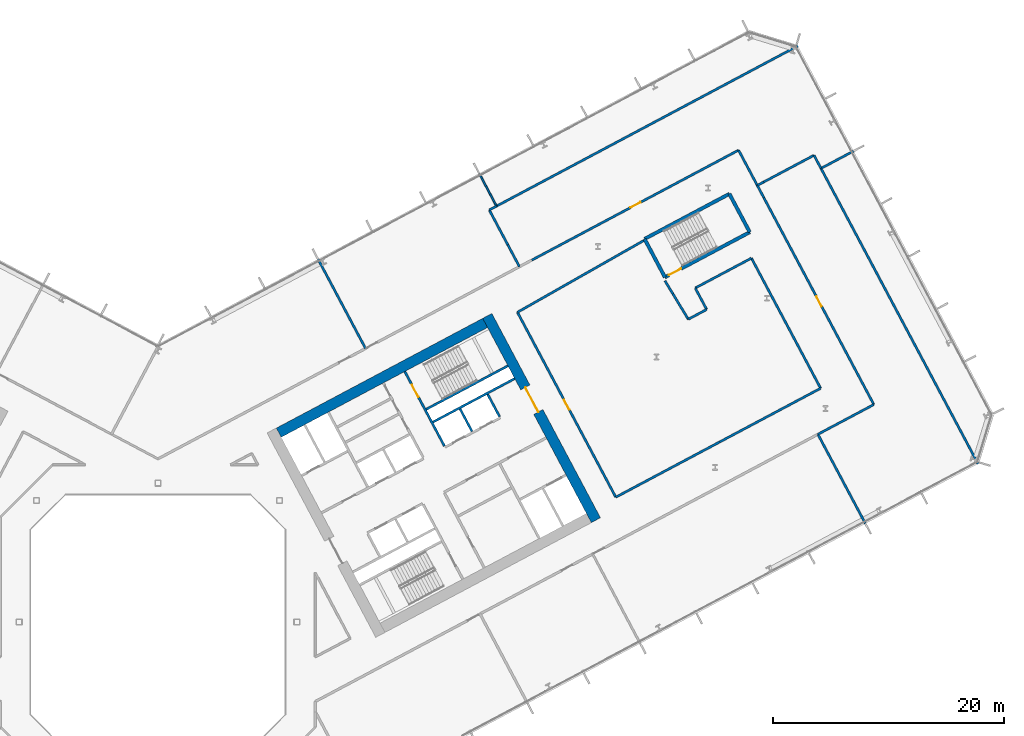
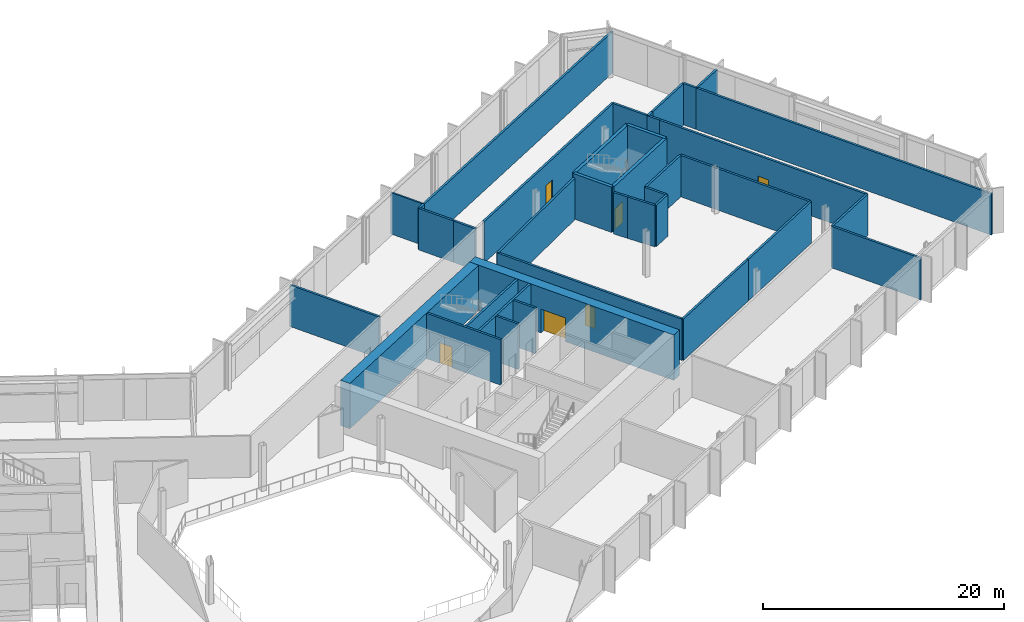
# One storey, part 18 of 30: 38 walls, 6 doors, 6 openings.
"""IFC4 building model written with IfcOpenShell, lengths in metres."""

from ifc_helpers import new_model, si_unit, direction, frame, frame_2d, origin, place, context, subcontext, project, spatial, rectangle, extrude, material, layer, layer_set, type_object, element, fill, save


model = new_model("IFC4")

# Units and contexts
model_context = context("Model", 3, precision=1e-05, world=origin(), true_north=direction((0.0, 1.0)))
body_context = subcontext(model_context, "Body", "Model", "MODEL_VIEW")
ifc_project = project(units=[si_unit("LENGTHUNIT", "METRE"), si_unit("AREAUNIT", "SQUARE_METRE"), si_unit("VOLUMEUNIT", "CUBIC_METRE"), si_unit("PLANEANGLEUNIT", "RADIAN"), si_unit("MASSUNIT", "GRAM", prefix="KILO")], contexts=[model_context])

# Site, building, storey
site_placement = place(None, origin())
site = spatial("IfcSite", under=ifc_project, at=site_placement, CompositionType="ELEMENT")
building_placement = place(site_placement, origin())
building = spatial("IfcBuilding", under=site, at=building_placement, Name="Cormorant Relay Tower", CompositionType="ELEMENT")
storey_placement = place(building_placement, frame((0.0, 0.0, 80.0)))
storey = spatial("IfcBuildingStorey", under=building, at=storey_placement, Name="L15", CompositionType="ELEMENT", Elevation=80.0)

# Wall
ifc_material_1 = material(Name="Concrete 40 MPa", Category="concrete")
ifc_layer_1 = layer(ifc_material_1, 0.199951171875)
ifc_layer_set_1 = layer_set([ifc_layer_1], Name="Core internal wall 200")
wall_type_1 = type_object("IfcWallType", Name="Core internal wall 200", PredefinedType="SOLIDWALL", material=ifc_layer_set_1)
wall_1_placement = place(storey_placement, frame((27.144287109375, 16.471435546875, 0.0), z_axis=(0.0, 0.0, 1.0), x_axis=(-0.469401318492, 0.882984938828, 0.0)))
element("IfcWall", 1, at=wall_1_placement, inside=storey, type_object=wall_type_1, Name="L15 core B shaft and room wall", PredefinedType="SOLIDWALL", context=body_context, shape_type="SweptSolid", body=[
    extrude(rectangle(XDim=2.199951171875, YDim=0.199951171875, at=frame_2d((1.10009765625, 0.0))), origin(), (0.0, 0.0, 1.0), 4.60009765625),
])

# Wall, opening, door
ifc_material_2 = material(Name="Concrete 50 MPa", Category="concrete")
ifc_layer_2 = layer(ifc_material_2, 0.199951171875)
ifc_layer_set_2 = layer_set([ifc_layer_2], Name="Core shaft wall 200")
wall_type_2 = type_object("IfcWallType", Name="Core shaft wall 200", PredefinedType="SHEAR", material=ifc_layer_set_2)
wall_2_placement = place(storey_placement, frame((24.760498046875, 15.2041015625, 0.0), z_axis=(0.0, 0.0, 1.0), x_axis=(-0.469494272526, 0.882935517501, 0.0)))
wall_2 = element("IfcWall", 2, at=wall_2_placement, inside=storey, type_object=wall_type_2, Name="L15 core B shaft wall", PredefinedType="SHEAR", context=body_context, shape_type="SweptSolid", body=[
    extrude(rectangle(XDim=7.2998046875, YDim=0.199951171875, at=frame_2d((3.64990234375, 0.0))), origin(), (0.0, 0.0, 1.0), 4.60009765625),
])
opening_1_placement = place(wall_2_placement, frame((4.800048828125, 0.0, 0.0)))
opening_1 = element("IfcOpeningElement", 3, at=opening_1_placement, cuts=wall_2, Name="Opening CDB-027", PredefinedType="OPENING", context=body_context, shape_type="SweptSolid", body=[
    extrude(rectangle(XDim=1.199951171875, YDim=2.10009765625, at=frame_2d((0.60009765625, 1.050048828125))), frame((0.0, 0.10986328125, 0.0), z_axis=(0.0, -1.0, 0.0), x_axis=(1.0, 0.0, 0.0)), (0.0, 0.0, 1.0), 0.219970703125),
])
ifc_material_3 = material(Name="Steel fire door", Category="steel")
door_type_1 = type_object("IfcDoorType", Name="Core stair door 1200x2100", OperationType="SINGLE_SWING_LEFT", PredefinedType="DOOR", material=ifc_material_3)
door_1_placement = place(opening_1_placement, frame((1.199951171875, 0.0, 0.0), z_axis=(0.0, 0.0, 1.0), x_axis=(-1.0, 0.0, 0.0)))
door_1 = element("IfcDoor", 4, at=door_1_placement, inside=storey, type_object=door_type_1, Name="Core stair door 1200x2100", OperationType="SINGLE_SWING_RIGHT", OverallHeight=2.10009765625, OverallWidth=1.199951171875, PredefinedType="DOOR", context=body_context, shape_type="SweptSolid", body=[
    extrude(rectangle(XDim=1.199951171875, YDim=2.10009765625, at=frame_2d((0.60009765625, 1.050048828125))), frame((0.0, 0.02490234375, 0.0), z_axis=(0.0, -1.0, 0.0), x_axis=(1.0, 0.0, 0.0)), (0.0, 0.0, 1.0), 0.050048828125),
])
fill(opening_1, door_1)

# Walls
wall_3_placement = place(storey_placement, frame((29.5283203125, 17.739013671875, 0.0), z_axis=(0.0, 0.0, 1.0), x_axis=(-0.469401318492, 0.882984938828, 0.0)))
element("IfcWall", 5, at=wall_3_placement, inside=storey, type_object=wall_type_2, Name="L15 core B shaft wall", PredefinedType="SHEAR", context=body_context, shape_type="SweptSolid", body=[
    extrude(rectangle(XDim=2.199951171875, YDim=0.199951171875, at=frame_2d((1.10009765625, 0.0))), origin(), (0.0, 0.0, 1.0), 4.60009765625),
])
wall_4_placement = place(storey_placement, frame((23.76904296875, 17.28173828125, 0.0), z_axis=(0.0, 0.0, 1.0), x_axis=(0.882940221191, 0.469485426614, 0.0)))
element("IfcWall", 6, at=wall_4_placement, inside=storey, type_object=wall_type_2, Name="L15 core B shaft wall", PredefinedType="SHEAR", context=body_context, shape_type="SweptSolid", body=[
    extrude(rectangle(XDim=8.0, YDim=0.199951171875, at=frame_2d((4.0, 0.0))), origin(), (0.0, 0.0, 1.0), 4.60009765625),
])
wall_5_placement = place(storey_placement, frame((23.18212890625, 18.385498046875, 0.0), z_axis=(0.0, 0.0, 1.0), x_axis=(0.88295287151, 0.469461634952, 0.0)))
element("IfcWall", 7, at=wall_5_placement, inside=storey, type_object=wall_type_2, Name="L15 core B shaft wall", PredefinedType="SHEAR", context=body_context, shape_type="SweptSolid", body=[
    extrude(rectangle(XDim=7.999755859375, YDim=0.199951171875, at=frame_2d((4.0, 0.0))), origin(), (0.0, 0.0, 1.0), 4.60009765625),
])

# Wall, opening, door
ifc_material_4 = material(Name="Concrete 70 MPa", Category="concrete")
ifc_layer_3 = layer(ifc_material_4, 0.89990234375)
ifc_layer_set_3 = layer_set([ifc_layer_3], Name="Core wall 900")
wall_type_3 = type_object("IfcWallType", Name="Core wall 900", PredefinedType="SHEAR", material=ifc_layer_set_3)
wall_6_placement = place(storey_placement, frame((37.849365234375, 8.799072265625, 0.0), z_axis=(0.0, 0.0, 1.0), x_axis=(-0.469465789982, 0.882950662289, 0.0)))
wall_6 = element("IfcWall", 8, at=wall_6_placement, inside=storey, type_object=wall_type_3, Name="L15 core B wall", PredefinedType="SHEAR", context=body_context, shape_type="SweptSolid", body=[
    extrude(rectangle(XDim=20.000244140625, YDim=0.89990234375, at=frame_2d((10.0, 0.0))), origin(), (0.0, 0.0, 1.0), 4.60009765625),
])
opening_2_placement = place(wall_6_placement, frame((10.60009765625, 0.0, 0.0)))
opening_2 = element("IfcOpeningElement", 9, at=opening_2_placement, cuts=wall_6, Name="Opening CDA-020", PredefinedType="OPENING", context=body_context, shape_type="SweptSolid", body=[
    extrude(rectangle(XDim=2.39990234375, YDim=2.39990234375, at=frame_2d((1.199951171875, 1.199951171875))), frame((0.0, 0.4599609375, 0.0), z_axis=(0.0, -1.0, 0.0), x_axis=(1.0, 0.0, 0.0)), (0.0, 0.0, 1.0), 0.919921875),
])
ifc_material_5 = material(Name="Steel fire door", Category="steel")
door_type_2 = type_object("IfcDoorType", Name="Core lobby door 2400x2400", OperationType="DOUBLE_DOOR_SINGLE_SWING", PredefinedType="DOOR", material=ifc_material_5)
door_2_placement = place(opening_2_placement, origin())
door_2 = element("IfcDoor", 10, at=door_2_placement, inside=storey, type_object=door_type_2, Name="Core lobby door 2400x2400", OperationType="DOUBLE_DOOR_SINGLE_SWING", OverallHeight=2.39990234375, OverallWidth=2.39990234375, PredefinedType="DOOR", context=body_context, shape_type="SweptSolid", body=[
    extrude(rectangle(XDim=2.39990234375, YDim=2.39990234375, at=frame_2d((1.199951171875, 1.199951171875))), frame((0.0, 0.02490234375, 0.0), z_axis=(0.0, -1.0, 0.0), x_axis=(1.0, 0.0, 0.0)), (0.0, 0.0, 1.0), 0.050048828125),
])
fill(opening_2, door_2)

# Walls
wall_7_placement = place(storey_placement, frame((10.4384765625, 16.3662109375, 0.0), z_axis=(0.0, 0.0, 1.0), x_axis=(0.88294509198, 0.469476266226, 0.0)))
element("IfcWall", 11, at=wall_7_placement, inside=storey, type_object=wall_type_3, Name="L15 core B wall", PredefinedType="SHEAR", context=body_context, shape_type="SweptSolid", body=[
    extrude(rectangle(XDim=20.199951171875, YDim=0.89990234375, at=frame_2d((10.10009765625, 0.0))), origin(), (0.0, 0.0, 1.0), 4.60009765625),
])
ifc_material_6 = material(Name="Fire-rated gypsum board partition")
ifc_layer_4 = layer(ifc_material_6, 0.199951171875)
ifc_layer_set_4 = layer_set([ifc_layer_4], Name="Fire-rated gypsum partition 200")
wall_type_4 = type_object("IfcWallType", Name="Fire-rated gypsum partition 200", PredefinedType="PARTITIONING", material=ifc_layer_set_4)
wall_8_placement = place(storey_placement, frame((13.833984375, 31.365966796875, 0.0), z_axis=(0.0, 0.0, 1.0), x_axis=(0.469374180568, -0.882999365014, 0.0)))
element("IfcWall", 12, at=wall_8_placement, inside=storey, type_object=wall_type_4, Name="wall/L15/part/48", PredefinedType="PARTITIONING", context=body_context, shape_type="SweptSolid", body=[
    extrude(rectangle(XDim=8.749755859375, YDim=0.199951171875, at=frame_2d((4.375, 0.0))), origin(), (0.0, 0.0, 1.0), 4.199951171875),
])
wall_9_placement = place(storey_placement, frame((30.235107421875, 32.59912109375, 0.0), z_axis=(0.0, 0.0, 1.0), x_axis=(0.46945013559, -0.882958985568, 0.0)))
element("IfcWall", 13, at=wall_9_placement, inside=storey, type_object=wall_type_4, Name="wall/L15/part/58", PredefinedType="PARTITIONING", context=body_context, shape_type="SweptSolid", body=[
    extrude(rectangle(XDim=2.138427734375, YDim=0.199951171875, at=frame_2d((1.0693359375, 0.0))), origin(), (0.0, 0.0, 1.0), 4.199951171875),
])
wall_10_placement = place(storey_placement, frame((29.260009765625, 35.945068359375, 0.0), z_axis=(0.0, 0.0, 1.0), x_axis=(0.882955510648, 0.469456671288, 0.0)))
element("IfcWall", 14, at=wall_10_placement, inside=storey, type_object=wall_type_4, Name="wall/L15/part/60", PredefinedType="PARTITIONING", context=body_context, shape_type="SweptSolid", body=[
    extrude(rectangle(XDim=29.506591796875, YDim=0.199951171875, at=frame_2d((14.75341796875, 0.0))), origin(), (0.0, 0.0, 1.0), 4.199951171875),
])
wall_11_placement = place(storey_placement, frame((30.235107421875, 32.59912109375, 0.0), z_axis=(0.0, 0.0, 1.0), x_axis=(-0.469599917758, 0.882879333341, 0.0)))
element("IfcWall", 15, at=wall_11_placement, inside=storey, type_object=wall_type_4, Name="wall/L15/part/61", PredefinedType="PARTITIONING", context=body_context, shape_type="SweptSolid", body=[
    extrude(rectangle(XDim=3.41162109375, YDim=0.199951171875, at=frame_2d((1.705810546875, 0.0))), origin(), (0.0, 0.0, 1.0), 4.199951171875),
])
wall_12_placement = place(storey_placement, frame((28.633056640625, 35.611083984375, 0.0), z_axis=(0.0, 0.0, 1.0), x_axis=(0.882581167339, 0.470160061106, 0.0)))
element("IfcWall", 16, at=wall_12_placement, inside=storey, type_object=wall_type_4, Name="wall/L15/part/62", PredefinedType="PARTITIONING", context=body_context, shape_type="SweptSolid", body=[
    extrude(rectangle(XDim=0.71044921875, YDim=0.199951171875, at=frame_2d((0.355224609375, 0.0))), origin(), (0.0, 0.0, 1.0), 4.199951171875),
])

# Wall, opening, door
wall_13_placement = place(storey_placement, frame((32.30810546875, 31.279052734375, 0.0), z_axis=(0.0, 0.0, 1.0), x_axis=(0.882939951573, 0.469485933673, 0.0)))
wall_13 = element("IfcWall", 17, at=wall_13_placement, inside=storey, type_object=wall_type_4, Name="wall/L15/part/64", PredefinedType="PARTITIONING", context=body_context, shape_type="SweptSolid", body=[
    extrude(rectangle(XDim=20.239013671875, YDim=0.199951171875, at=frame_2d((10.11962890625, 0.0))), origin(), (0.0, 0.0, 1.0), 4.199951171875),
])
opening_3_placement = place(wall_13_placement, frame((9.64990234375, 0.0, 0.0)))
opening_3 = element("IfcOpeningElement", 18, at=opening_3_placement, cuts=wall_13, Name="Opening FD1-099", PredefinedType="OPENING", context=body_context, shape_type="SweptSolid", body=[
    extrude(rectangle(XDim=1.0, YDim=2.10009765625, at=frame_2d((0.5, 1.050048828125))), frame((0.0, 0.10986328125, 0.0), z_axis=(0.0, -1.0, 0.0), x_axis=(1.0, 0.0, 0.0)), (0.0, 0.0, 1.0), 0.219970703125),
])
ifc_material_7 = material(Name="Fire-rated steel door", Category="steel")
door_type_3 = type_object("IfcDoorType", Name="Fire door 1000 x 2100", OperationType="SINGLE_SWING_LEFT", PredefinedType="DOOR", material=ifc_material_7)
door_3_placement = place(opening_3_placement, origin())
door_3 = element("IfcDoor", 19, at=door_3_placement, inside=storey, type_object=door_type_3, Name="door/L15/8", OperationType="SINGLE_SWING_LEFT", OverallHeight=2.10009765625, OverallWidth=1.0, PredefinedType="DOOR", context=body_context, shape_type="SweptSolid", body=[
    extrude(rectangle(XDim=1.0, YDim=2.10009765625, at=frame_2d((0.5, 1.050048828125))), frame((0.0, 0.02490234375, 0.0), z_axis=(0.0, -1.0, 0.0), x_axis=(1.0, 0.0, 0.0)), (0.0, 0.0, 1.0), 0.050048828125),
])
fill(opening_3, door_3)

# Walls
wall_14_placement = place(storey_placement, frame((50.177978515625, 40.781005859375, 0.0), z_axis=(0.0, 0.0, 1.0), x_axis=(0.469355564401, -0.883009260521, 0.0)))
element("IfcWall", 20, at=wall_14_placement, inside=storey, type_object=wall_type_4, Name="wall/L15/part/65", PredefinedType="PARTITIONING", context=body_context, shape_type="SweptSolid", body=[
    extrude(rectangle(XDim=3.445068359375, YDim=0.199951171875, at=frame_2d((1.72265625, 0.0))), origin(), (0.0, 0.0, 1.0), 4.199951171875),
])
wall_15_placement = place(storey_placement, frame((57.033935546875, 16.22509765625, 0.0), z_axis=(0.0, 0.0, 1.0), x_axis=(0.469482945701, -0.882941540361, 0.0)))
element("IfcWall", 21, at=wall_15_placement, inside=storey, type_object=wall_type_4, Name="wall/L15/part/66", PredefinedType="PARTITIONING", context=body_context, shape_type="SweptSolid", body=[
    extrude(rectangle(XDim=8.75048828125, YDim=0.199951171875, at=frame_2d((4.375244140625, 0.0))), origin(), (0.0, 0.0, 1.0), 4.199951171875),
])
wall_16_placement = place(storey_placement, frame((48.541015625, 15.56005859375, 0.0), z_axis=(0.0, 0.0, 1.0), x_axis=(-0.882933406877, -0.469498241765, 0.0)))
element("IfcWall", 22, at=wall_16_placement, inside=storey, type_object=wall_type_4, Name="wall/L15/part/67", PredefinedType="PARTITIONING", context=body_context, shape_type="SweptSolid", body=[
    extrude(rectangle(XDim=10.1640625, YDim=0.199951171875, at=frame_2d((5.08203125, 0.0))), origin(), (0.0, 0.0, 1.0), 4.199951171875),
])

# Wall, opening, door
wall_17_placement = place(storey_placement, frame((39.56689453125, 10.7880859375, 0.0), z_axis=(0.0, 0.0, 1.0), x_axis=(-0.469474056812, 0.882946266757, 0.0)))
wall_17 = element("IfcWall", 23, at=wall_17_placement, inside=storey, type_object=wall_type_4, Name="wall/L15/part/68", PredefinedType="PARTITIONING", context=body_context, shape_type="SweptSolid", body=[
    extrude(rectangle(XDim=18.1005859375, YDim=0.199951171875, at=frame_2d((9.05029296875, 0.0))), origin(), (0.0, 0.0, 1.0), 4.199951171875),
])
opening_4_placement = place(wall_17_placement, frame((8.550048828125, 0.0, 0.0)))
opening_4 = element("IfcOpeningElement", 24, at=opening_4_placement, cuts=wall_17, Name="Opening FD1-094", PredefinedType="OPENING", context=body_context, shape_type="SweptSolid", body=[
    extrude(rectangle(XDim=1.0, YDim=2.10009765625, at=frame_2d((0.5, 1.050048828125))), frame((0.0, 0.10986328125, 0.0), z_axis=(0.0, -1.0, 0.0), x_axis=(1.0, 0.0, 0.0)), (0.0, 0.0, 1.0), 0.219970703125),
])
door_4_placement = place(opening_4_placement, origin())
door_4 = element("IfcDoor", 25, at=door_4_placement, inside=storey, type_object=door_type_3, Name="door/L15/21", OperationType="SINGLE_SWING_RIGHT", OverallHeight=2.10009765625, OverallWidth=1.0, PredefinedType="DOOR", context=body_context, shape_type="SweptSolid", body=[
    extrude(rectangle(XDim=1.0, YDim=2.10009765625, at=frame_2d((0.5, 1.050048828125))), frame((0.0, 0.02490234375, 0.0), z_axis=(0.0, -1.0, 0.0), x_axis=(1.0, 0.0, 0.0)), (0.0, 0.0, 1.0), 0.050048828125),
])
fill(opening_4, door_4)

# Walls
wall_18_placement = place(storey_placement, frame((31.069091796875, 26.77001953125, 0.0), z_axis=(0.0, 0.0, 1.0), x_axis=(0.86954617394, 0.493851649168, 0.0)))
element("IfcWall", 26, at=wall_18_placement, inside=storey, type_object=wall_type_4, Name="wall/L15/part/69", PredefinedType="PARTITIONING", context=body_context, shape_type="SweptSolid", body=[
    extrude(rectangle(XDim=12.55029296875, YDim=0.199951171875, at=frame_2d((6.275146484375, 0.0))), origin(), (0.0, 0.0, 1.0), 4.199951171875),
])
wall_19_placement = place(storey_placement, frame((43.81591796875, 29.490966796875, 0.0), z_axis=(0.0, 0.0, 1.0), x_axis=(0.518473208291, -0.855093873376, 0.0)))
element("IfcWall", 27, at=wall_19_placement, inside=storey, type_object=wall_type_4, Name="wall/L15/part/70", PredefinedType="PARTITIONING", context=body_context, shape_type="SweptSolid", body=[
    extrude(rectangle(XDim=1.324951171875, YDim=0.199951171875, at=frame_2d((0.66259765625, 0.0))), origin(), (0.0, 0.0, 1.0), 4.199951171875),
])
wall_20_placement = place(storey_placement, frame((45.8310546875, 26.1669921875, 0.0), z_axis=(0.0, 0.0, 1.0), x_axis=(-0.518386189645, 0.855146629757, 0.0)))
element("IfcWall", 28, at=wall_20_placement, inside=storey, type_object=wall_type_4, Name="wall/L15/part/71", PredefinedType="PARTITIONING", context=body_context, shape_type="SweptSolid", body=[
    extrude(rectangle(XDim=2.56201171875, YDim=0.199951171875, at=frame_2d((1.281005859375, 0.0))), origin(), (0.0, 0.0, 1.0), 4.199951171875),
])
wall_21_placement = place(storey_placement, frame((47.419921875, 27.011962890625, 0.0), z_axis=(0.0, 0.0, 1.0), x_axis=(-0.882911879422, -0.469538723829, 0.0)))
element("IfcWall", 29, at=wall_21_placement, inside=storey, type_object=wall_type_4, Name="wall/L15/part/72", PredefinedType="PARTITIONING", context=body_context, shape_type="SweptSolid", body=[
    extrude(rectangle(XDim=1.799560546875, YDim=0.199951171875, at=frame_2d((0.89990234375, 0.0))), origin(), (0.0, 0.0, 1.0), 4.199951171875),
])
wall_22_placement = place(storey_placement, frame((46.43408203125, 28.865966796875, 0.0), z_axis=(0.0, 0.0, 1.0), x_axis=(0.882942083458, 0.469481924316, 0.0)))
element("IfcWall", 30, at=wall_22_placement, inside=storey, type_object=wall_type_4, Name="wall/L15/part/73", PredefinedType="PARTITIONING", context=body_context, shape_type="SweptSolid", body=[
    extrude(rectangle(XDim=5.499755859375, YDim=0.199951171875, at=frame_2d((2.75, 0.0))), origin(), (0.0, 0.0, 1.0), 4.199951171875),
])
wall_23_placement = place(storey_placement, frame((51.2900390625, 31.447998046875, 0.0), z_axis=(0.0, 0.0, 1.0), x_axis=(0.469459757109, -0.882953869947, 0.0)))
element("IfcWall", 31, at=wall_23_placement, inside=storey, type_object=wall_type_4, Name="wall/L15/part/74", PredefinedType="PARTITIONING", context=body_context, shape_type="SweptSolid", body=[
    extrude(rectangle(XDim=12.738037109375, YDim=0.199951171875, at=frame_2d((6.369140625, 0.0))), origin(), (0.0, 0.0, 1.0), 4.199951171875),
])
wall_24_placement = place(storey_placement, frame((57.27001953125, 20.200927734375, 0.0), z_axis=(0.0, 0.0, 1.0), x_axis=(-0.882965394181, -0.469438081837, 0.0)))
element("IfcWall", 32, at=wall_24_placement, inside=storey, type_object=wall_type_4, Name="wall/L15/part/75", PredefinedType="PARTITIONING", context=body_context, shape_type="SweptSolid", body=[
    extrude(rectangle(XDim=9.885986328125, YDim=0.199951171875, at=frame_2d((4.94287109375, 0.0))), origin(), (0.0, 0.0, 1.0), 4.199951171875),
])
wall_25_placement = place(storey_placement, frame((47.419921875, 27.011962890625, 0.0), z_axis=(0.0, 0.0, 1.0), x_axis=(-0.469489562011, 0.882938022266, 0.0)))
element("IfcWall", 33, at=wall_25_placement, inside=storey, type_object=wall_type_4, Name="wall/L15/part/76", PredefinedType="PARTITIONING", context=body_context, shape_type="SweptSolid", body=[
    extrude(rectangle(XDim=2.099853515625, YDim=0.199951171875, at=frame_2d((1.0498046875, 0.0))), origin(), (0.0, 0.0, 1.0), 4.199951171875),
])
wall_26_placement = place(storey_placement, frame((51.794921875, 37.739013671875, 0.0), z_axis=(0.0, 0.0, 1.0), x_axis=(0.469473160434, -0.882946743373, 0.0)))
element("IfcWall", 34, at=wall_26_placement, inside=storey, type_object=wall_type_4, Name="wall/L15/part/77", PredefinedType="PARTITIONING", context=body_context, shape_type="SweptSolid", body=[
    extrude(rectangle(XDim=1.21630859375, YDim=0.199951171875, at=frame_2d((0.608154296875, 0.0))), origin(), (0.0, 0.0, 1.0), 4.199951171875),
])
wall_27_placement = place(storey_placement, frame((52.35107421875, 38.029052734375, 0.0), z_axis=(0.0, 0.0, 1.0), x_axis=(0.882969925021, 0.469429559688, 0.0)))
element("IfcWall", 35, at=wall_27_placement, inside=storey, type_object=wall_type_4, Name="wall/L15/part/78", PredefinedType="PARTITIONING", context=body_context, shape_type="SweptSolid", body=[
    extrude(rectangle(XDim=4.923095703125, YDim=0.199951171875, at=frame_2d((2.46142578125, 0.0))), origin(), (0.0, 0.0, 1.0), 4.199951171875),
])
wall_28_placement = place(storey_placement, frame((56.697998046875, 40.340087890625, 0.0), z_axis=(0.0, 0.0, 1.0), x_axis=(0.468946315527, -0.883226671446, 0.0)))
element("IfcWall", 36, at=wall_28_placement, inside=storey, type_object=wall_type_4, Name="wall/L15/part/79", PredefinedType="PARTITIONING", context=body_context, shape_type="SweptSolid", body=[
    extrude(rectangle(XDim=1.28173828125, YDim=0.199951171875, at=frame_2d((0.640869140625, 0.0))), origin(), (0.0, 0.0, 1.0), 4.199951171875),
])
wall_29_placement = place(storey_placement, frame((51.798095703125, 37.73388671875, 0.0), z_axis=(0.0, 0.0, 1.0), x_axis=(0.882191163795, 0.470891442396, 0.0)))
element("IfcWall", 37, at=wall_29_placement, inside=storey, type_object=wall_type_4, Name="wall/L15/part/80", PredefinedType="PARTITIONING", context=body_context, shape_type="SweptSolid", body=[
    extrude(rectangle(XDim=0.626708984375, YDim=0.199951171875, at=frame_2d((0.3134765625, 0.0))), origin(), (0.0, 0.0, 1.0), 4.199951171875),
])
wall_30_placement = place(storey_placement, frame((57.041015625, 16.22900390625, 0.0), z_axis=(0.0, 0.0, 1.0), x_axis=(0.882918476145, 0.469526319265, 0.0)))
element("IfcWall", 38, at=wall_30_placement, inside=storey, type_object=wall_type_4, Name="wall/L15/part/81", PredefinedType="PARTITIONING", context=body_context, shape_type="SweptSolid", body=[
    extrude(rectangle(XDim=5.467041015625, YDim=0.199951171875, at=frame_2d((2.7333984375, 0.0))), origin(), (0.0, 0.0, 1.0), 4.199951171875),
])

# Wall, opening, door
wall_31_placement = place(storey_placement, frame((52.365966796875, 36.6650390625, 0.0), z_axis=(0.0, 0.0, 1.0), x_axis=(0.469480933333, -0.882942610387, 0.0)))
wall_31 = element("IfcWall", 39, at=wall_31_placement, inside=storey, type_object=wall_type_4, Name="wall/L15/part/82", PredefinedType="PARTITIONING", context=body_context, shape_type="SweptSolid", body=[
    extrude(rectangle(XDim=20.2392578125, YDim=0.199951171875, at=frame_2d((10.11962890625, 0.0))), origin(), (0.0, 0.0, 1.0), 4.199951171875),
])
opening_5_placement = place(wall_31_placement, frame((9.64990234375, 0.0, 0.0)))
opening_5 = element("IfcOpeningElement", 40, at=opening_5_placement, cuts=wall_31, Name="Opening FD1-098", PredefinedType="OPENING", context=body_context, shape_type="SweptSolid", body=[
    extrude(rectangle(XDim=1.0, YDim=2.10009765625, at=frame_2d((0.5, 1.050048828125))), frame((0.0, 0.10986328125, 0.0), z_axis=(0.0, -1.0, 0.0), x_axis=(1.0, 0.0, 0.0)), (0.0, 0.0, 1.0), 0.219970703125),
])
door_5_placement = place(opening_5_placement, origin())
door_5 = element("IfcDoor", 41, at=door_5_placement, inside=storey, type_object=door_type_3, Name="door/L15/7", OperationType="SINGLE_SWING_LEFT", OverallHeight=2.10009765625, OverallWidth=1.0, PredefinedType="DOOR", context=body_context, shape_type="SweptSolid", body=[
    extrude(rectangle(XDim=1.0, YDim=2.10009765625, at=frame_2d((0.5, 1.050048828125))), frame((0.0, 0.02490234375, 0.0), z_axis=(0.0, -1.0, 0.0), x_axis=(1.0, 0.0, 0.0)), (0.0, 0.0, 1.0), 0.050048828125),
])
fill(opening_5, door_5)

# Walls
wall_32_placement = place(storey_placement, frame((57.299072265625, 39.2080078125, 0.0), z_axis=(0.0, 0.0, 1.0), x_axis=(0.469480728433, -0.882942719337, 0.0)))
element("IfcWall", 42, at=wall_32_placement, inside=storey, type_object=wall_type_4, Name="wall/L15/part/83", PredefinedType="PARTITIONING", context=body_context, shape_type="SweptSolid", body=[
    extrude(rectangle(XDim=28.93408203125, YDim=0.199951171875, at=frame_2d((14.467041015625, 0.0))), origin(), (0.0, 0.0, 1.0), 4.199951171875),
])
wall_33_placement = place(storey_placement, frame((60.126953125, 40.70703125, 0.0), z_axis=(0.0, 0.0, 1.0), x_axis=(-0.883027796121, -0.469320691295, 0.0)))
element("IfcWall", 43, at=wall_33_placement, inside=storey, type_object=wall_type_4, Name="wall/L15/part/84", PredefinedType="PARTITIONING", context=body_context, shape_type="SweptSolid", body=[
    extrude(rectangle(XDim=3.2001953125, YDim=0.199951171875, at=frame_2d((1.60009765625, 0.0))), origin(), (0.0, 0.0, 1.0), 4.199951171875),
])
ifc_material_8 = material(Name="Gypsum board partition")
ifc_layer_5 = layer(ifc_material_8, 0.14990234375)
ifc_layer_set_5 = layer_set([ifc_layer_5], Name="Gypsum board partition 150")
wall_type_5 = type_object("IfcWallType", Name="Gypsum board partition 150", PredefinedType="PARTITIONING", material=ifc_layer_set_5)
wall_34_placement = place(storey_placement, frame((27.760009765625, 38.77099609375, 0.0), z_axis=(0.0, 0.0, 1.0), x_axis=(0.469320691295, -0.883027796121, 0.0)))
element("IfcWall", 44, at=wall_34_placement, inside=storey, type_object=wall_type_5, Name="wall/L15/part/59", PredefinedType="PARTITIONING", context=body_context, shape_type="SweptSolid", body=[
    extrude(rectangle(XDim=3.2001953125, YDim=0.14990234375, at=frame_2d((1.60009765625, 0.0))), origin(), (0.0, 0.0, 1.0), 4.199951171875),
])
ifc_material_9 = material(Name="Concrete 50 MPa", Category="concrete")
ifc_layer_6 = layer(ifc_material_9, 0.300048828125)
ifc_layer_set_6 = layer_set([ifc_layer_6], Name="Remote stair wall 300")
wall_type_6 = type_object("IfcWallType", Name="Remote stair wall 300", PredefinedType="SHEAR", material=ifc_layer_set_6)
wall_35_placement = place(storey_placement, frame((49.384033203125, 37.00390625, 0.0), z_axis=(0.0, 0.0, 1.0), x_axis=(0.46946936446, -0.882948761726, 0.0)))
element("IfcWall", 45, at=wall_35_placement, inside=storey, type_object=wall_type_6, Name="L15 exit stair RB1 wall", PredefinedType="SHEAR", context=body_context, shape_type="SweptSolid", body=[
    extrude(rectangle(XDim=3.75, YDim=0.300048828125, at=frame_2d((1.875, 0.0))), origin(), (0.0, 0.0, 1.0), 4.60009765625),
])

# Wall, opening, door
wall_36_placement = place(storey_placement, frame((51.14453125, 33.69287109375, 0.0), z_axis=(0.0, 0.0, 1.0), x_axis=(-0.882945809314, -0.469474917132, 0.0)))
wall_36 = element("IfcWall", 46, at=wall_36_placement, inside=storey, type_object=wall_type_6, Name="L15 exit stair RB1 wall", PredefinedType="SHEAR", context=body_context, shape_type="SweptSolid", body=[
    extrude(rectangle(XDim=8.30029296875, YDim=0.300048828125, at=frame_2d((4.150146484375, 0.0))), origin(), (0.0, 0.0, 1.0), 4.60009765625),
])
opening_6_placement = place(wall_36_placement, frame((6.72509765625, 0.0, 0.0)))
opening_6 = element("IfcOpeningElement", 47, at=opening_6_placement, cuts=wall_36, Name="Opening CDB-028", PredefinedType="OPENING", context=body_context, shape_type="SweptSolid", body=[
    extrude(rectangle(XDim=1.199951171875, YDim=2.10009765625, at=frame_2d((0.60009765625, 1.050048828125))), frame((0.0, 0.159912109375, 0.0), z_axis=(0.0, -1.0, 0.0), x_axis=(1.0, 0.0, 0.0)), (0.0, 0.0, 1.0), 0.320068359375),
])
door_6_placement = place(opening_6_placement, frame((1.199951171875, 0.0, 0.0), z_axis=(0.0, 0.0, 1.0), x_axis=(-1.0, 0.0, 0.0)))
door_6 = element("IfcDoor", 48, at=door_6_placement, inside=storey, type_object=door_type_1, Name="Exit stair RB1 door", OperationType="SINGLE_SWING_LEFT", OverallHeight=2.10009765625, OverallWidth=1.199951171875, PredefinedType="DOOR", context=body_context, shape_type="SweptSolid", body=[
    extrude(rectangle(XDim=1.199951171875, YDim=2.10009765625, at=frame_2d((0.60009765625, 1.050048828125))), frame((0.0, 0.02490234375, 0.0), z_axis=(0.0, -1.0, 0.0), x_axis=(1.0, 0.0, 0.0)), (0.0, 0.0, 1.0), 0.050048828125),
])
fill(opening_6, door_6)

# Walls
wall_37_placement = place(storey_placement, frame((43.81591796875, 29.796142578125, 0.0), z_axis=(0.0, 0.0, 1.0), x_axis=(-0.46946936446, 0.882948761726, 0.0)))
element("IfcWall", 49, at=wall_37_placement, inside=storey, type_object=wall_type_6, Name="L15 exit stair RB1 wall", PredefinedType="SHEAR", context=body_context, shape_type="SweptSolid", body=[
    extrude(rectangle(XDim=3.75, YDim=0.300048828125, at=frame_2d((1.875, 0.0))), origin(), (0.0, 0.0, 1.0), 4.60009765625),
])
wall_38_placement = place(storey_placement, frame((42.055419921875, 33.107177734375, 0.0), z_axis=(0.0, 0.0, 1.0), x_axis=(0.882945809314, 0.469474917132, 0.0)))
element("IfcWall", 50, at=wall_38_placement, inside=storey, type_object=wall_type_6, Name="L15 exit stair RB1 wall", PredefinedType="SHEAR", context=body_context, shape_type="SweptSolid", body=[
    extrude(rectangle(XDim=8.30029296875, YDim=0.300048828125, at=frame_2d((4.150146484375, 0.0))), origin(), (0.0, 0.0, 1.0), 4.60009765625),
])

save(model, "model.ifc")
